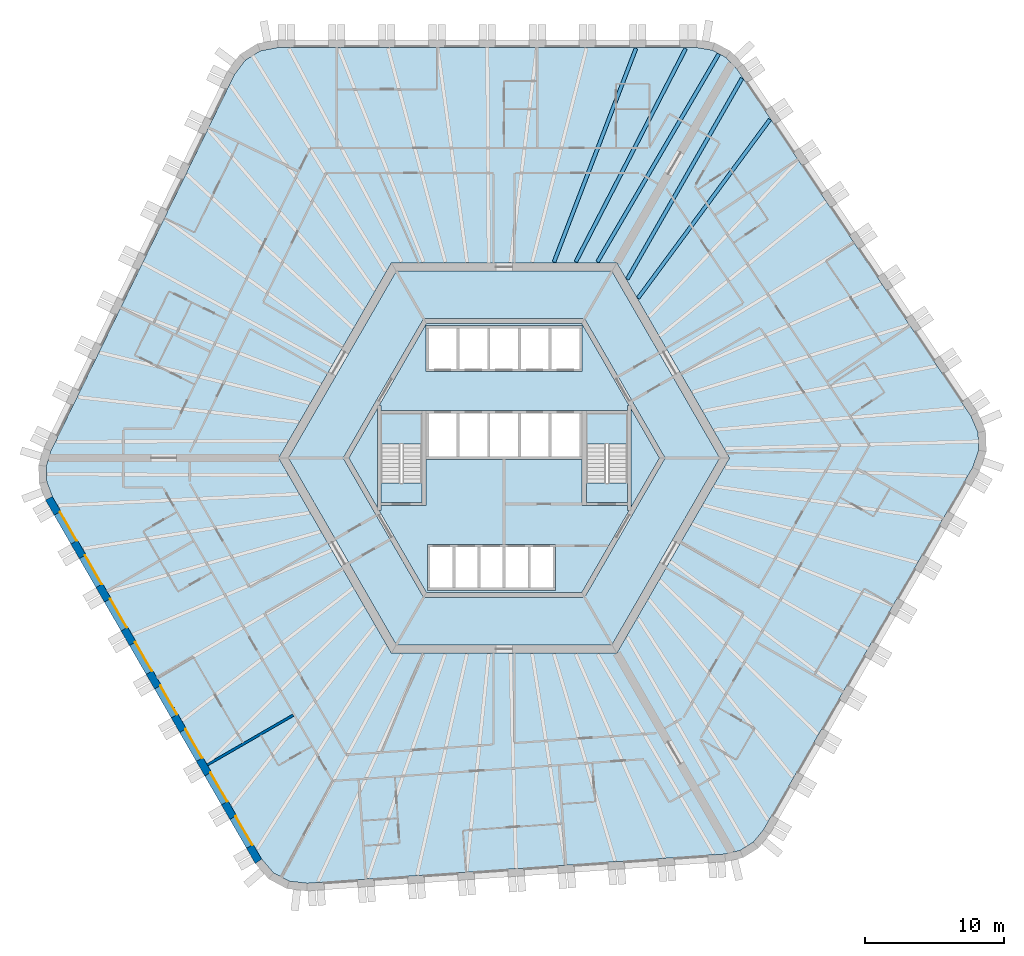
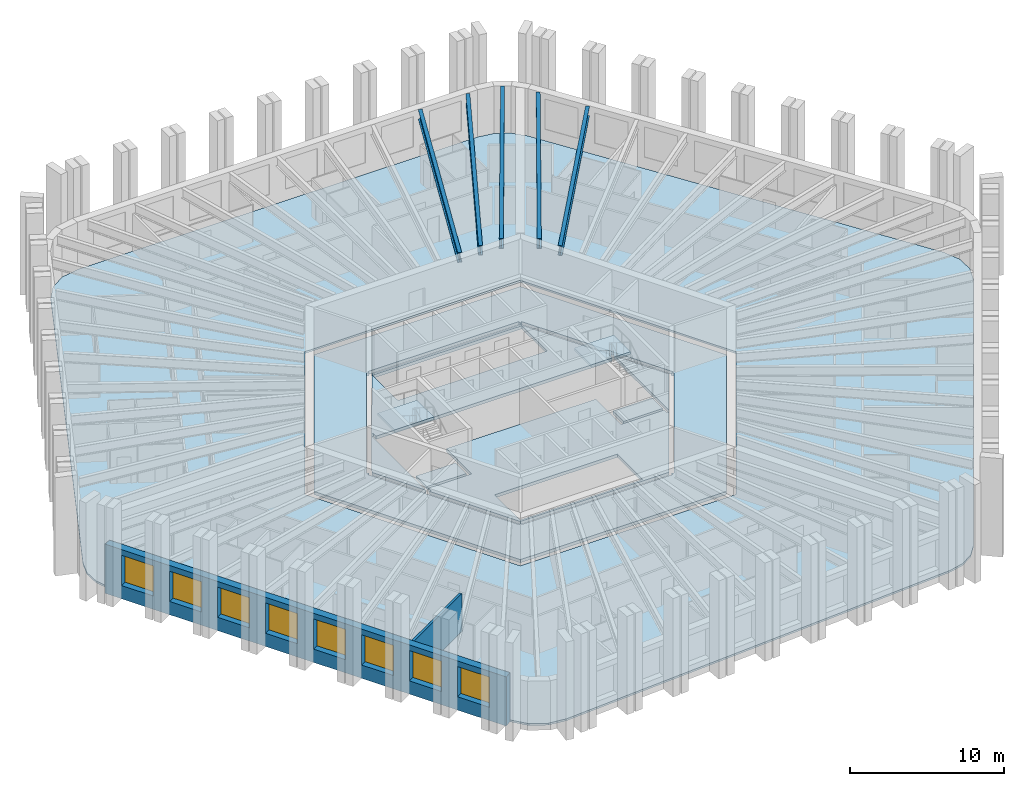
# One storey, part 2 of 13: 10 slabs, 8 windows, 5 beams, 2 walls, 8 openings, 2 elements without a shape of their own.
"""IFC4 building model written with IfcOpenShell, lengths in metres."""

import ifcopenshell
import ifcopenshell.guid

model = None  # the IFC model being written
_history = None  # IfcOwnerHistory: only IFC2X3 demands one
_inside = {}  # id of a spatial element -> (the spatial element, [elements in it])
_under = {}  # id of a project, library or spatial element -> (it, [spatial elements below it])
_declared = {}  # id of a project -> (the project, [libraries it declares])
_typed = {}  # id of a type object -> (the type object, [elements of that type])
_made_of = {}  # id of a material, layer set ... -> (it, [elements and type objects made of it])


def new_model(schema):
    """Start an empty IFC model of exactly this schema.

    Asked for "IFC4X3", IfcOpenShell would pick the latest addendum, in which some entities
    have other attributes; the version numbers below select the first issue.
    IFC2X3 requires an IfcOwnerHistory on every rooted entity: one is made here for all.
    """
    global model, _history
    if schema == "IFC4X3":
        model = ifcopenshell.file(schema_version=(4, 3, 0, 0))
    else:
        model = ifcopenshell.file(schema=schema)
    _inside.clear()
    _under.clear()
    _declared.clear()
    _typed.clear()
    _made_of.clear()
    _history = None
    if model.schema == "IFC2X3":
        org = make("IfcOrganization", Name="unknown")
        user = make(
            "IfcPersonAndOrganization",
            ThePerson=make("IfcPerson", FamilyName="unknown"),
            TheOrganization=org,
        )
        app = make(
            "IfcApplication",
            ApplicationDeveloper=org,
            Version="unknown",
            ApplicationFullName="unknown",
            ApplicationIdentifier="unknown",
        )
        _history = make(
            "IfcOwnerHistory",
            OwningUser=user,
            OwningApplication=app,
            ChangeAction="ADDED",
            CreationDate=0,
        )
    return model


def make(cls, **values):
    """One entity of the class cls with the attributes given. An attribute that is None is left unset."""
    return model.create_entity(
        cls, **{name: value for name, value in values.items() if value is not None}
    )


def rooted(cls, **values):
    """An entity with a GlobalId (a new one), such as an element, a storey or a relation."""
    return make(cls, GlobalId=ifcopenshell.guid.new(), OwnerHistory=_history, **values)


def si_unit(unit_type, name, prefix=None):
    """IfcSIUnit, for example si_unit("LENGTHUNIT", "METRE", prefix="MILLI")."""
    return make("IfcSIUnit", UnitType=unit_type, Prefix=prefix, Name=name)


def assignment(units):
    """IfcUnitAssignment: the units of a project."""
    return None if units is None else make("IfcUnitAssignment", Units=units)


def point(xyz):
    """IfcCartesianPoint."""
    return None if xyz is None else make("IfcCartesianPoint", Coordinates=xyz)


def direction(xyz):
    """IfcDirection."""
    return None if xyz is None else make("IfcDirection", DirectionRatios=xyz)


def frame(location, z_axis=None, x_axis=None):
    """IfcAxis2Placement3D, a coordinate frame: its origin and axes. An axis left out is left unset."""
    return make(
        "IfcAxis2Placement3D",
        Location=point(location),
        Axis=direction(z_axis),
        RefDirection=direction(x_axis),
    )


def frame_2d(location, x_axis=None):
    """IfcAxis2Placement2D, a coordinate frame in the plane: its origin and x axis."""
    return make(
        "IfcAxis2Placement2D", Location=point(location), RefDirection=direction(x_axis)
    )


def origin():
    """The frame at (0, 0, 0) with its axes left unset."""
    return frame((0.0, 0.0, 0.0))


def origin_2d():
    """The frame at (0, 0) in the plane with its x axis left unset."""
    return frame_2d((0.0, 0.0))


def place(relative_to, where):
    """IfcLocalPlacement: puts the frame where relative to a parent placement (None: the world)."""
    return make(
        "IfcLocalPlacement", PlacementRelTo=relative_to, RelativePlacement=where
    )


def context(
    kind, dimensions, precision=None, world=None, true_north=None, identifier=None
):
    """IfcGeometricRepresentationContext, for example the 3D "Model" context."""
    return make(
        "IfcGeometricRepresentationContext",
        ContextIdentifier=identifier,
        ContextType=kind,
        CoordinateSpaceDimension=dimensions,
        Precision=precision,
        WorldCoordinateSystem=world,
        TrueNorth=true_north,
    )


def subcontext(parent, identifier, kind, view, scale=None):
    """IfcGeometricRepresentationSubContext, for example "Body" below "Model"."""
    return make(
        "IfcGeometricRepresentationSubContext",
        ContextIdentifier=identifier,
        ContextType=kind,
        ParentContext=parent,
        TargetScale=scale,
        TargetView=view,
    )


def project(units=None, contexts=None):
    """IfcProject with its units and contexts."""
    return rooted(
        "IfcProject",
        Name="project",
        RepresentationContexts=contexts,
        UnitsInContext=assignment(units),
    )


def spatial(cls, under=None, at=None, **own):
    """A site, building, storey or space (cls), placed at a placement, below another one or the project."""
    s = rooted(cls, ObjectPlacement=at, **own)
    if under is not None:
        _under.setdefault(under.id(), (under, []))[1].append(s)
    return s


def polyline(points):
    """IfcPolyline through the points."""
    return make("IfcPolyline", Points=[point(p) for p in points])


def profile(cls, at=None, kind="AREA", **sizes):
    """A parametric profile (cls). Its sizes go by their IFC names, for example OverallWidth=200.0."""
    return make(cls, ProfileType=kind, Position=at, **sizes)


def rectangle(**sizes):
    """IfcRectangleProfileDef."""
    return profile("IfcRectangleProfileDef", **sizes)


def i_section(**sizes):
    """IfcIShapeProfileDef."""
    return profile("IfcIShapeProfileDef", **sizes)


def outline(outer, holes=None, kind="AREA"):
    """IfcArbitraryClosedProfileDef: a profile drawn as a closed curve; with holes, ...WithVoids."""
    if holes is None:
        return make("IfcArbitraryClosedProfileDef", ProfileType=kind, OuterCurve=outer)
    return make(
        "IfcArbitraryProfileDefWithVoids",
        ProfileType=kind,
        OuterCurve=outer,
        InnerCurves=holes,
    )


def extrude(swept, where, along, depth):
    """IfcExtrudedAreaSolid: the profile swept, set in the frame where, extruded along a direction by depth."""
    return make(
        "IfcExtrudedAreaSolid",
        SweptArea=swept,
        Position=where,
        ExtrudedDirection=direction(along),
        Depth=depth,
    )


def shape(context_of_items, identifier, shape_type, items):
    """IfcShapeRepresentation: the items that make up one representation, for example the "Body"."""
    return make(
        "IfcShapeRepresentation",
        ContextOfItems=context_of_items,
        RepresentationIdentifier=identifier,
        RepresentationType=shape_type,
        Items=items,
    )


def material(Name=None, Category=None):
    """IfcMaterial."""
    return make("IfcMaterial", Name=Name, Category=Category)


def layer(
    of_material, thickness, ventilated=None, Name=None, Category=None, Priority=None
):
    """IfcMaterialLayer: one layer of a wall or slab, of a material (None: an air gap)."""
    return make(
        "IfcMaterialLayer",
        Material=of_material,
        LayerThickness=thickness,
        IsVentilated=ventilated,
        Name=Name,
        Category=Category,
        Priority=Priority,
    )


def layer_set(layers, Name=None):
    """IfcMaterialLayerSet."""
    return make("IfcMaterialLayerSet", MaterialLayers=layers, LayerSetName=Name)


def material_profile(
    of_material, cross_section, Name=None, Category=None, Priority=None
):
    """IfcMaterialProfile: a cross section and its material."""
    return make(
        "IfcMaterialProfile",
        Name=Name,
        Material=of_material,
        Profile=cross_section,
        Priority=Priority,
        Category=Category,
    )


def profile_set(profiles, Name=None, composite=None):
    """IfcMaterialProfileSet."""
    return make(
        "IfcMaterialProfileSet",
        Name=Name,
        MaterialProfiles=profiles,
        CompositeProfile=composite,
    )


def made_of(thing, what):
    """Note that an element or type object is made of a material, layer set ...; save() writes the relation."""
    if what is not None:
        _made_of.setdefault(what.id(), (what, []))[1].append(thing)
    return thing


def type_object(cls, material=None, **own):
    """A type object (cls), such as IfcWallType, which elements share."""
    return made_of(rooted(cls, **own), material)


def element(
    cls,
    number,
    at=None,
    inside=None,
    cuts=None,
    type_object=None,
    material=None,
    context=None,
    identifier="Body",
    shape_type=None,
    held_by="IfcProductDefinitionShape",
    body=None,
    shapes=None,
    **own,
):
    """One element of the class cls, such as IfcWall. Its Tag is "e" and its number.

    at: its placement. inside: the storey or other place that contains it. cuts: it is an
    opening in that element (IfcRelVoidsElement). A single representation is given by context,
    identifier, shape_type and body (its items); several are given by shapes. held_by: the class
    of the entity that holds the representations. save() writes the other relations.
    """
    e = rooted(cls, Tag="e%d" % number, ObjectPlacement=at, **own)
    if body is not None:
        shapes = [shape(context, identifier, shape_type, body)]
    if shapes is not None:
        e.Representation = make(held_by, Representations=shapes)
    if inside is not None:
        _inside.setdefault(inside.id(), (inside, []))[1].append(e)
    if cuts is not None:
        rooted(
            "IfcRelVoidsElement", RelatingBuildingElement=cuts, RelatedOpeningElement=e
        )
    if type_object is not None:
        _typed.setdefault(type_object.id(), (type_object, []))[1].append(e)
    return made_of(e, material)


def fill(opening, filler):
    """IfcRelFillsElement: the door or window that sits in an opening."""
    return rooted(
        "IfcRelFillsElement",
        RelatingOpeningElement=opening,
        RelatedBuildingElement=filler,
    )


def aggregate(whole, parts):
    """IfcRelAggregates: a whole, such as a stair, and the parts it consists of."""
    return rooted("IfcRelAggregates", RelatingObject=whole, RelatedObjects=parts)


def save(model, path):
    """Write the relations noted so far, then the file.

    IfcRelAggregates (storeys below a building ...), IfcRelContainedInSpatialStructure (elements
    in a storey), IfcRelDefinesByType, IfcRelAssociatesMaterial and IfcRelDeclares: one each for
    every whole, place, type object, material and project.
    """
    for whole, parts in _under.values():
        aggregate(whole, parts)
    for where, things in _inside.values():
        rooted(
            "IfcRelContainedInSpatialStructure",
            RelatedElements=things,
            RelatingStructure=where,
        )
    for kind, things in _typed.values():
        rooted("IfcRelDefinesByType", RelatedObjects=things, RelatingType=kind)
    for what, things in _made_of.values():
        rooted("IfcRelAssociatesMaterial", RelatedObjects=things, RelatingMaterial=what)
    for by, libraries in _declared.values():
        rooted("IfcRelDeclares", RelatingContext=by, RelatedDefinitions=libraries)
    model.write(path)


model = new_model("IFC4")

# Units and contexts
model_context = context("Model", 3, precision=1e-05, world=origin(), true_north=direction((0.0, 1.0)))
body_context = subcontext(model_context, "Body", "Model", "MODEL_VIEW")
ifc_project = project(units=[si_unit("LENGTHUNIT", "METRE"), si_unit("AREAUNIT", "SQUARE_METRE"), si_unit("VOLUMEUNIT", "CUBIC_METRE"), si_unit("PLANEANGLEUNIT", "RADIAN"), si_unit("MASSUNIT", "GRAM", prefix="KILO")], contexts=[model_context])

# Site, building, storey
site_placement = place(None, origin())
site = spatial("IfcSite", under=ifc_project, at=site_placement, CompositionType="ELEMENT")
building_placement = place(site_placement, origin())
building = spatial("IfcBuilding", under=site, at=building_placement, Name="Tarnside Tower", CompositionType="ELEMENT")
storey_placement = place(building_placement, frame((0.0, 0.0, 92.10009765625)))
storey = spatial("IfcBuildingStorey", under=building, at=storey_placement, Name="L20", CompositionType="ELEMENT", Elevation=92.10009765625)

# Beams
ifc_material_1 = material(Name="Steel S355", Category="steel")
ifc_material_profile = material_profile(ifc_material_1, i_section(OverallWidth=0.2666015625, OverallDepth=0.76220703125, WebThickness=0.014404296875, FlangeThickness=0.021484375, FilletRadius=0.0166015625, at=origin_2d()), Name="UB 762x267x173")
ifc_profile_set = profile_set([ifc_material_profile], Name="Steel S355")
beam_type = type_object("IfcBeamType", Name="Floor beam UB 762x267x173", PredefinedType="BEAM", material=ifc_profile_set)
beam_1_placement = place(storey_placement, frame((13.0283203125, 29.37890625, 3.368896484375), z_axis=(-0.457973226459, -0.888965985765, 0.0), x_axis=(0.888965985765, -0.457973226459, 0.0)))
element("IfcBeam", 1, at=beam_1_placement, inside=storey, type_object=beam_type, Name="Floor beam F1.01", PredefinedType="BEAM", context=body_context, shape_type="SweptSolid", body=[
    extrude(i_section(OverallWidth=0.2666015625, OverallDepth=0.76220703125, WebThickness=0.014404296875, FlangeThickness=0.021484375, FilletRadius=0.0166015625, at=origin_2d()), origin(), (0.0, 0.0, 1.0), 17.219970703125),
])
beam_2_placement = place(storey_placement, frame((9.4619140625, 29.39404296875, 3.368896484375), z_axis=(-0.358299847269, -0.933606565662, 0.0), x_axis=(0.933606565662, -0.358299847269, 0.0)))
element("IfcBeam", 2, at=beam_2_placement, inside=storey, type_object=beam_type, Name="Floor beam F1.02", PredefinedType="BEAM", context=body_context, shape_type="SweptSolid", body=[
    extrude(i_section(OverallWidth=0.2666015625, OverallDepth=0.76220703125, WebThickness=0.014404296875, FlangeThickness=0.021484375, FilletRadius=0.0166015625, at=origin_2d()), origin(), (0.0, 0.0, 1.0), 16.428955078125),
])
beam_3_placement = place(storey_placement, frame((19.072021484375, 24.28857421875, 3.368896484375), z_axis=(-0.593986893499, -0.804474717037, 0.0), x_axis=(0.804474717037, -0.593986893499, 0.0)))
element("IfcBeam", 3, at=beam_3_placement, inside=storey, type_object=beam_type, Name="Floor beam F6.08", PredefinedType="BEAM", context=body_context, shape_type="SweptSolid", body=[
    extrude(i_section(OverallWidth=0.2666015625, OverallDepth=0.76220703125, WebThickness=0.014404296875, FlangeThickness=0.021484375, FilletRadius=0.0166015625, at=origin_2d()), origin(), (0.0, 0.0, 1.0), 15.934326171875),
])
beam_4_placement = place(storey_placement, frame((17.066162109375, 27.235107421875, 3.368896484375), z_axis=(-0.49622611841, -0.868193319145, 0.0), x_axis=(0.868193319145, -0.49622611841, 0.0)))
element("IfcBeam", 4, at=beam_4_placement, inside=storey, type_object=beam_type, Name="Floor beam F6.09", PredefinedType="BEAM", context=body_context, shape_type="SweptSolid", body=[
    extrude(i_section(OverallWidth=0.2666015625, OverallDepth=0.76220703125, WebThickness=0.014404296875, FlangeThickness=0.021484375, FilletRadius=0.0166015625, at=origin_2d()), origin(), (0.0, 0.0, 1.0), 16.586669921875),
])
beam_5_placement = place(storey_placement, frame((15.4013671875, 28.990478515625, 3.368896484375), z_axis=(-0.503858723096, -0.863786077198, 0.0), x_axis=(0.863786077198, -0.503858723096, 0.0)))
element("IfcBeam", 5, at=beam_5_placement, inside=storey, type_object=beam_type, Name="Floor beam C6", PredefinedType="BEAM", context=body_context, shape_type="SweptSolid", body=[
    extrude(i_section(OverallWidth=0.2666015625, OverallDepth=0.76220703125, WebThickness=0.014404296875, FlangeThickness=0.021484375, FilletRadius=0.0166015625, at=origin_2d()), origin(), (0.0, 0.0, 1.0), 17.2744140625),
])

# Slabs
ifc_material_2 = material(Name="Concrete C35/45", Category="concrete")
ifc_layer_1 = layer(ifc_material_2, 0.14990234375)
ifc_layer_set_1 = layer_set([ifc_layer_1], Name="Composite floor slab 150")
slab_type_1 = type_object("IfcSlabType", Name="Composite floor slab 150", PredefinedType="FLOOR", material=ifc_layer_set_1)
slab_1_placement = place(storey_placement, frame((0.0, 0.0, -0.150146484375)))
element("IfcSlab", 6, at=slab_1_placement, inside=storey, type_object=slab_type_1, Name="Floor slab L20", PredefinedType="FLOOR", context=body_context, shape_type="SweptSolid", body=[
    extrude(outline(polyline([(14.927490234375, 29.264892578125), (15.91455078125, 28.740234375), (16.697265625, 27.91064453125), (33.48583984375, 3.0205078125), (34.001220703125, 1.825439453125), (34.0458984375, 0.55078125), (33.614990234375, -0.67724609375), (18.603515625, -26.677978515625), (17.880615234375, -27.56005859375), (16.9326171875, -28.15234375), (15.82275390625, -28.41552734375), (-14.127197265625, -30.509765625), (-15.419921875, -30.358642578125), (-16.5458984375, -29.760009765625), (-17.39404296875, -28.772705078125), (-32.405517578125, -2.772216796875), (-32.80810546875, -1.704833984375), (-32.846923828125, -0.587890625), (-32.52001953125, 0.5048828125), (-19.358642578125, 27.4892578125), (-18.58154296875, 28.533203125), (-17.5, 29.208984375), (-16.220947265625, 29.449951171875), (13.802001953125, 29.449951171875), (14.927490234375, 29.264892578125)]), holes=[polyline([(-16.165771484375, 0.0), (-8.0830078125, -14.0), (8.0830078125, -14.0), (16.165771484375, 0.0), (8.0830078125, 14.0), (-8.0830078125, 14.0), (-16.165771484375, 0.0)])]), origin(), (0.0, 0.0, 1.0), 0.150146484375),
])
ifc_material_3 = material(Name="Concrete C40/50", Category="concrete")
ifc_layer_2 = layer(ifc_material_3, 0.25)
ifc_layer_set_2 = layer_set([ifc_layer_2], Name="Core slab C40/50")
slab_type_2 = type_object("IfcSlabType", Name="Core slab C40/50", PredefinedType="FLOOR", material=ifc_layer_set_2)
slab_2_placement = place(storey_placement, frame((0.0, 0.0, -0.25)))
element("IfcSlab", 7, at=slab_2_placement, inside=storey, type_object=slab_type_2, Name="L20 core floor slab 1", PredefinedType="FLOOR", context=body_context, shape_type="SweptSolid", body=[
    extrude(outline(polyline([(-15.472900390625, 0.0), (-7.736572265625, 13.39990234375), (7.736572265625, 13.39990234375), (15.472900390625, 0.0), (7.736572265625, -13.39990234375), (-7.736572265625, -13.39990234375), (-15.472900390625, 0.0)]), holes=[polyline([(5.823974609375, -9.91259765625), (11.49658203125, -0.08740234375), (11.344970703125, 0.0), (11.49658203125, 0.08740234375), (5.823974609375, 9.91259765625), (5.672607421875, 9.824951171875), (5.672607421875, 10.0), (-5.672607421875, 10.0), (-5.672607421875, 9.824951171875), (-5.823974609375, 9.91259765625), (-11.49658203125, 0.08740234375), (-11.344970703125, 0.0), (-11.49658203125, -0.08740234375), (-5.823974609375, -9.91259765625), (-5.672607421875, -9.824951171875), (-5.672607421875, -10.0), (5.672607421875, -10.0), (5.672607421875, -9.824951171875), (5.823974609375, -9.91259765625)])]), origin(), (0.0, 0.0, 1.0), 0.25),
])
slab_3_placement = place(storey_placement, frame((0.0, 0.0, -0.25)))
element("IfcSlab", 8, at=slab_3_placement, inside=storey, type_object=slab_type_2, Name="L20 core floor slab 2", PredefinedType="FLOOR", context=body_context, shape_type="SweptSolid", body=[
    extrude(outline(polyline([(-8.97509765625, 3.7548828125), (-5.5712890625, 9.64990234375), (5.5712890625, 9.64990234375), (8.97509765625, 3.7548828125), (8.85009765625, 3.7548828125), (8.85009765625, 3.39990234375), (5.89990234375, 3.39990234375), (5.60009765625, 3.39990234375), (5.60009765625, 3.39990234375), (-5.60009765625, 3.39990234375), (-5.89990234375, 3.39990234375), (-8.85009765625, 3.39990234375), (-8.85009765625, 3.7548828125), (-8.97509765625, 3.7548828125)]), holes=[polyline([(-5.60009765625, 6.199951171875), (5.60009765625, 6.199951171875), (5.60009765625, 6.39990234375), (5.60009765625, 9.300048828125), (5.60009765625, 9.5), (-5.60009765625, 9.5), (-5.60009765625, 9.300048828125), (-5.60009765625, 6.39990234375), (-5.60009765625, 6.199951171875)])]), origin(), (0.0, 0.0, 1.0), 0.25),
])
slab_4_placement = place(storey_placement, frame((0.0, 0.0, -0.25)))
element("IfcSlab", 9, at=slab_4_placement, inside=storey, type_object=slab_type_2, Name="L20 core floor slab 3", PredefinedType="FLOOR", context=body_context, shape_type="SweptSolid", body=[
    extrude(outline(polyline([(5.60009765625, -3.39990234375), (5.89990234375, -3.39990234375), (8.85009765625, -3.39990234375), (8.85009765625, -3.7548828125), (8.97509765625, -3.7548828125), (5.5712890625, -9.64990234375), (-5.5712890625, -9.64990234375), (-8.97509765625, -3.7548828125), (-8.85009765625, -3.7548828125), (-8.85009765625, -3.39990234375), (-5.89990234375, -3.39990234375), (-5.60009765625, -3.39990234375), (-5.60009765625, -0.10009765625), (5.60009765625, -0.10009765625), (5.60009765625, -3.39990234375)]), holes=[polyline([(-5.5, -9.300048828125), (-5.5, -9.5), (3.699951171875, -9.5), (3.699951171875, -9.300048828125), (3.699951171875, -6.39990234375), (3.699951171875, -6.199951171875), (-5.5, -6.199951171875), (-5.5, -6.39990234375), (-5.5, -9.300048828125)])]), origin(), (0.0, 0.0, 1.0), 0.25),
])
slab_5_placement = place(storey_placement, frame((0.0, 0.0, -0.25)))
element("IfcSlab", 10, at=slab_5_placement, inside=storey, type_object=slab_type_2, Name="L20 core floor slab 4", PredefinedType="FLOOR", context=body_context, shape_type="SweptSolid", body=[
    extrude(outline(polyline([(-11.142822265625, 0.0), (-9.10009765625, 3.538330078125), (-9.10009765625, -3.538330078125), (-11.142822265625, 0.0)])), origin(), (0.0, 0.0, 1.0), 0.25),
])
slab_6_placement = place(storey_placement, frame((0.0, 0.0, -0.25)))
element("IfcSlab", 11, at=slab_6_placement, inside=storey, type_object=slab_type_2, Name="L20 core floor slab 5", PredefinedType="FLOOR", context=body_context, shape_type="SweptSolid", body=[
    extrude(outline(polyline([(-8.85009765625, -1.800048828125), (-5.89990234375, -1.800048828125), (-5.89990234375, -3.199951171875), (-8.85009765625, -3.199951171875), (-8.85009765625, -1.800048828125)])), origin(), (0.0, 0.0, 1.0), 0.25),
])
slab_7_placement = place(storey_placement, frame((0.0, 0.0, -0.25)))
element("IfcSlab", 12, at=slab_7_placement, inside=storey, type_object=slab_type_2, Name="L20 core floor slab 6", PredefinedType="FLOOR", context=body_context, shape_type="SweptSolid", body=[
    extrude(outline(polyline([(5.89990234375, -3.199951171875), (5.89990234375, -1.800048828125), (8.85009765625, -1.800048828125), (8.85009765625, -3.199951171875), (5.89990234375, -3.199951171875)])), origin(), (0.0, 0.0, 1.0), 0.25),
])
slab_8_placement = place(storey_placement, frame((0.0, 0.0, -0.25)))
element("IfcSlab", 13, at=slab_8_placement, inside=storey, type_object=slab_type_2, Name="L20 core floor slab 7", PredefinedType="FLOOR", context=body_context, shape_type="SweptSolid", body=[
    extrude(outline(polyline([(9.10009765625, -3.538330078125), (9.10009765625, 3.538330078125), (11.142822265625, 0.0), (9.10009765625, -3.538330078125)])), origin(), (0.0, 0.0, 1.0), 0.25),
])

# Stair, slab
stair_type = type_object("IfcStairType", Name="Exit stair 1400 clear", PredefinedType="HALF_TURN_STAIR", material=ifc_material_3)
stair_1_placement = place(storey_placement, origin())
stair_1 = element("IfcStair", 14, at=stair_1_placement, inside=storey, type_object=stair_type, Name="L20 Exit stair 1", PredefinedType="HALF_TURN_STAIR")
ifc_layer_3 = layer(ifc_material_3, 0.199951171875)
ifc_layer_set_3 = layer_set([ifc_layer_3], Name="Stair landing 200 C40/50")
slab_type_3 = type_object("IfcSlabType", Name="Stair landing 200 C40/50", PredefinedType="LANDING", material=ifc_layer_set_3)
slab_9_placement = place(storey_placement, frame((0.0, 0.0, 1.75)))
slab_9 = element("IfcSlab", 15, at=slab_9_placement, type_object=slab_type_3, Name="ST1 landing 1", PredefinedType="LANDING", context=body_context, shape_type="SweptSolid", body=[
    extrude(outline(polyline([(8.85009765625, 1.0), (8.85009765625, 3.199951171875), (5.89990234375, 3.199951171875), (5.89990234375, 1.0), (8.85009765625, 1.0)])), origin(), (0.0, 0.0, 1.0), 0.199951171875),
])
aggregate(stair_1, [slab_9])

stair_2_placement = place(storey_placement, origin())
stair_2 = element("IfcStair", 16, at=stair_2_placement, inside=storey, type_object=stair_type, Name="L20 Exit stair 2", PredefinedType="HALF_TURN_STAIR")
slab_10_placement = place(storey_placement, frame((0.0, 0.0, 1.75)))
slab_10 = element("IfcSlab", 17, at=slab_10_placement, type_object=slab_type_3, Name="ST2 landing 1", PredefinedType="LANDING", context=body_context, shape_type="SweptSolid", body=[
    extrude(outline(polyline([(-5.89990234375, 1.0), (-5.89990234375, 3.199951171875), (-8.85009765625, 3.199951171875), (-8.85009765625, 1.0), (-5.89990234375, 1.0)])), origin(), (0.0, 0.0, 1.0), 0.199951171875),
])
aggregate(stair_2, [slab_10])

# Wall
ifc_material_4 = material(Name="Gypsum board partition on steel studs", Category="steel")
ifc_layer_4 = layer(ifc_material_4, 0.179931640625)
ifc_layer_set_4 = layer_set([ifc_layer_4], Name="Demising wall 180 EI 60")
wall_type_1 = type_object("IfcWallType", Name="Demising wall 180 EI 60", PredefinedType="PARTITIONING", material=ifc_layer_set_4)
wall_1_placement = place(storey_placement, frame((-21.298828125, -22.00927734375, 0.0), z_axis=(0.0, 0.0, 1.0), x_axis=(0.866024672353, 0.500001266874, 0.0)))
element("IfcWall", 18, at=wall_1_placement, inside=storey, type_object=wall_type_1, Name="Demising wall 06118", PredefinedType="PARTITIONING", context=body_context, shape_type="SweptSolid", body=[
    extrude(rectangle(XDim=7.125, YDim=0.179931640625, at=frame_2d((3.5625, 0.0))), origin(), (0.0, 0.0, 1.0), 2.98779296875),
])

# Wall, openings, windows
ifc_material_5 = material(Name="Facing brick", Category="masonry")
ifc_layer_5 = layer(ifc_material_5, 0.10205078125)
ifc_material_6 = material(Name="Concrete C60/75 precast", Category="concrete")
ifc_layer_6 = layer(ifc_material_6, 0.347900390625)
ifc_material_7 = material(Name="Mineral wool insulation")
ifc_layer_7 = layer(ifc_material_7, 0.10009765625)
ifc_layer_set_5 = layer_set([ifc_layer_5, ifc_layer_6, ifc_layer_7], Name="Tube wall 550 brick faced")
wall_type_2 = type_object("IfcWallType", Name="Tube wall 550 brick faced", PredefinedType="SOLIDWALL", material=ifc_layer_set_5)
wall_2_placement = place(storey_placement, frame((-32.65478515625, -2.89013671875, -0.150146484375), z_axis=(0.0, 0.0, 1.0), x_axis=(0.499997711317, -0.866026725152, 0.0)))
wall_2 = element("IfcWall", 19, at=wall_2_placement, inside=storey, type_object=wall_type_2, Name="Tube wall L20 F3 flush 08", PredefinedType="SOLIDWALL", context=body_context, shape_type="SweptSolid", body=[
    extrude(outline(polyline([(-0.0224609375, -0.27490234375), (30.0966796875, -0.27490234375), (30.04541015625, 0.27490234375), (0.0224609375, 0.27490234375), (-0.0224609375, -0.27490234375)])), origin(), (0.0, 0.0, 1.0), 3.900146484375),
])
opening_1_placement = place(wall_2_placement, frame((1.235595703125, 0.0, 1.050048828125)))
opening_1 = element("IfcOpeningElement", 20, at=opening_1_placement, cuts=wall_2, Name="Opening WH", PredefinedType="OPENING", context=body_context, shape_type="SweptSolid", body=[
    extrude(rectangle(XDim=2.39990234375, YDim=2.39990234375, at=frame_2d((1.199951171875, 1.199951171875))), frame((0.0, 0.28515625, 0.0), z_axis=(0.0, -1.0, 0.0), x_axis=(1.0, 0.0, 0.0)), (0.0, 0.0, 1.0), 0.570068359375),
])
opening_2_placement = place(wall_2_placement, frame((4.83544921875, 0.0, 1.050048828125)))
opening_2 = element("IfcOpeningElement", 21, at=opening_2_placement, cuts=wall_2, Name="Opening WH", PredefinedType="OPENING", context=body_context, shape_type="SweptSolid", body=[
    extrude(rectangle(XDim=2.39990234375, YDim=2.39990234375, at=frame_2d((1.199951171875, 1.199951171875))), frame((0.0, 0.28515625, 0.0), z_axis=(0.0, -1.0, 0.0), x_axis=(1.0, 0.0, 0.0)), (0.0, 0.0, 1.0), 0.570068359375),
])
opening_3_placement = place(wall_2_placement, frame((8.435546875, 0.0, 1.050048828125)))
opening_3 = element("IfcOpeningElement", 22, at=opening_3_placement, cuts=wall_2, Name="Opening WH", PredefinedType="OPENING", context=body_context, shape_type="SweptSolid", body=[
    extrude(rectangle(XDim=2.39990234375, YDim=2.39990234375, at=frame_2d((1.199951171875, 1.199951171875))), frame((0.0, 0.28515625, 0.0), z_axis=(0.0, -1.0, 0.0), x_axis=(1.0, 0.0, 0.0)), (0.0, 0.0, 1.0), 0.570068359375),
])
opening_4_placement = place(wall_2_placement, frame((12.035400390625, 0.0, 1.050048828125)))
opening_4 = element("IfcOpeningElement", 23, at=opening_4_placement, cuts=wall_2, Name="Opening WH", PredefinedType="OPENING", context=body_context, shape_type="SweptSolid", body=[
    extrude(rectangle(XDim=2.39990234375, YDim=2.39990234375, at=frame_2d((1.199951171875, 1.199951171875))), frame((0.0, 0.28515625, 0.0), z_axis=(0.0, -1.0, 0.0), x_axis=(1.0, 0.0, 0.0)), (0.0, 0.0, 1.0), 0.570068359375),
])
opening_5_placement = place(wall_2_placement, frame((15.635498046875, 0.0, 1.050048828125)))
opening_5 = element("IfcOpeningElement", 24, at=opening_5_placement, cuts=wall_2, Name="Opening WH", PredefinedType="OPENING", context=body_context, shape_type="SweptSolid", body=[
    extrude(rectangle(XDim=2.39990234375, YDim=2.39990234375, at=frame_2d((1.199951171875, 1.199951171875))), frame((0.0, 0.28515625, 0.0), z_axis=(0.0, -1.0, 0.0), x_axis=(1.0, 0.0, 0.0)), (0.0, 0.0, 1.0), 0.570068359375),
])
opening_6_placement = place(wall_2_placement, frame((19.235595703125, 0.0, 1.050048828125)))
opening_6 = element("IfcOpeningElement", 25, at=opening_6_placement, cuts=wall_2, Name="Opening WH", PredefinedType="OPENING", context=body_context, shape_type="SweptSolid", body=[
    extrude(rectangle(XDim=2.39990234375, YDim=2.39990234375, at=frame_2d((1.199951171875, 1.199951171875))), frame((0.0, 0.28515625, 0.0), z_axis=(0.0, -1.0, 0.0), x_axis=(1.0, 0.0, 0.0)), (0.0, 0.0, 1.0), 0.570068359375),
])
opening_7_placement = place(wall_2_placement, frame((22.83544921875, 0.0, 1.050048828125)))
opening_7 = element("IfcOpeningElement", 26, at=opening_7_placement, cuts=wall_2, Name="Opening WH", PredefinedType="OPENING", context=body_context, shape_type="SweptSolid", body=[
    extrude(rectangle(XDim=2.39990234375, YDim=2.39990234375, at=frame_2d((1.199951171875, 1.199951171875))), frame((0.0, 0.28515625, 0.0), z_axis=(0.0, -1.0, 0.0), x_axis=(1.0, 0.0, 0.0)), (0.0, 0.0, 1.0), 0.570068359375),
])
opening_8_placement = place(wall_2_placement, frame((26.435546875, 0.0, 1.050048828125)))
opening_8 = element("IfcOpeningElement", 27, at=opening_8_placement, cuts=wall_2, Name="Opening WH", PredefinedType="OPENING", context=body_context, shape_type="SweptSolid", body=[
    extrude(rectangle(XDim=2.39990234375, YDim=2.39990234375, at=frame_2d((1.199951171875, 1.199951171875))), frame((0.0, 0.28515625, 0.0), z_axis=(0.0, -1.0, 0.0), x_axis=(1.0, 0.0, 0.0)), (0.0, 0.0, 1.0), 0.570068359375),
])
ifc_material_8 = material(Name="Aluminium-framed double glazing", Category="aluminium")
window_type = type_object("IfcWindowType", Name="Hotel window 2400 x 2400", PartitioningType="DOUBLE_PANEL_VERTICAL", PredefinedType="WINDOW", material=ifc_material_8)
window_1_placement = place(opening_1_placement, frame((0.0, 0.205078125, 0.0)))
window_1 = element("IfcWindow", 28, at=window_1_placement, inside=storey, type_object=window_type, Name="E.WN.L20.F3.00", OverallHeight=2.39990234375, OverallWidth=2.39990234375, PartitioningType="DOUBLE_PANEL_VERTICAL", PredefinedType="WINDOW", context=body_context, shape_type="SweptSolid", body=[
    extrude(rectangle(XDim=2.39990234375, YDim=2.39990234375, at=frame_2d((1.199951171875, 1.199951171875))), frame((0.0, 0.030029296875, 0.0), z_axis=(0.0, -1.0, 0.0), x_axis=(1.0, 0.0, 0.0)), (0.0, 0.0, 1.0), 0.06005859375),
])
fill(opening_1, window_1)
window_2_placement = place(opening_2_placement, frame((0.0, 0.205078125, 0.0)))
window_2 = element("IfcWindow", 29, at=window_2_placement, inside=storey, type_object=window_type, Name="E.WN.L20.F3.01", OverallHeight=2.39990234375, OverallWidth=2.39990234375, PartitioningType="DOUBLE_PANEL_VERTICAL", PredefinedType="WINDOW", context=body_context, shape_type="SweptSolid", body=[
    extrude(rectangle(XDim=2.39990234375, YDim=2.39990234375, at=frame_2d((1.199951171875, 1.199951171875))), frame((0.0, 0.030029296875, 0.0), z_axis=(0.0, -1.0, 0.0), x_axis=(1.0, 0.0, 0.0)), (0.0, 0.0, 1.0), 0.06005859375),
])
fill(opening_2, window_2)
window_3_placement = place(opening_3_placement, frame((0.0, 0.205078125, 0.0)))
window_3 = element("IfcWindow", 30, at=window_3_placement, inside=storey, type_object=window_type, Name="E.WN.L20.F3.02", OverallHeight=2.39990234375, OverallWidth=2.39990234375, PartitioningType="DOUBLE_PANEL_VERTICAL", PredefinedType="WINDOW", context=body_context, shape_type="SweptSolid", body=[
    extrude(rectangle(XDim=2.39990234375, YDim=2.39990234375, at=frame_2d((1.199951171875, 1.199951171875))), frame((0.0, 0.030029296875, 0.0), z_axis=(0.0, -1.0, 0.0), x_axis=(1.0, 0.0, 0.0)), (0.0, 0.0, 1.0), 0.06005859375),
])
fill(opening_3, window_3)
window_4_placement = place(opening_4_placement, frame((0.0, 0.205078125, 0.0)))
window_4 = element("IfcWindow", 31, at=window_4_placement, inside=storey, type_object=window_type, Name="E.WN.L20.F3.03", OverallHeight=2.39990234375, OverallWidth=2.39990234375, PartitioningType="DOUBLE_PANEL_VERTICAL", PredefinedType="WINDOW", context=body_context, shape_type="SweptSolid", body=[
    extrude(rectangle(XDim=2.39990234375, YDim=2.39990234375, at=frame_2d((1.199951171875, 1.199951171875))), frame((0.0, 0.030029296875, 0.0), z_axis=(0.0, -1.0, 0.0), x_axis=(1.0, 0.0, 0.0)), (0.0, 0.0, 1.0), 0.06005859375),
])
fill(opening_4, window_4)
window_5_placement = place(opening_5_placement, frame((0.0, 0.205078125, 0.0)))
window_5 = element("IfcWindow", 32, at=window_5_placement, inside=storey, type_object=window_type, Name="E.WN.L20.F3.04", OverallHeight=2.39990234375, OverallWidth=2.39990234375, PartitioningType="DOUBLE_PANEL_VERTICAL", PredefinedType="WINDOW", context=body_context, shape_type="SweptSolid", body=[
    extrude(rectangle(XDim=2.39990234375, YDim=2.39990234375, at=frame_2d((1.199951171875, 1.199951171875))), frame((0.0, 0.030029296875, 0.0), z_axis=(0.0, -1.0, 0.0), x_axis=(1.0, 0.0, 0.0)), (0.0, 0.0, 1.0), 0.06005859375),
])
fill(opening_5, window_5)
window_6_placement = place(opening_6_placement, frame((0.0, 0.205078125, 0.0)))
window_6 = element("IfcWindow", 33, at=window_6_placement, inside=storey, type_object=window_type, Name="E.WN.L20.F3.05", OverallHeight=2.39990234375, OverallWidth=2.39990234375, PartitioningType="DOUBLE_PANEL_VERTICAL", PredefinedType="WINDOW", context=body_context, shape_type="SweptSolid", body=[
    extrude(rectangle(XDim=2.39990234375, YDim=2.39990234375, at=frame_2d((1.199951171875, 1.199951171875))), frame((0.0, 0.030029296875, 0.0), z_axis=(0.0, -1.0, 0.0), x_axis=(1.0, 0.0, 0.0)), (0.0, 0.0, 1.0), 0.06005859375),
])
fill(opening_6, window_6)
window_7_placement = place(opening_7_placement, frame((0.0, 0.205078125, 0.0)))
window_7 = element("IfcWindow", 34, at=window_7_placement, inside=storey, type_object=window_type, Name="E.WN.L20.F3.06", OverallHeight=2.39990234375, OverallWidth=2.39990234375, PartitioningType="DOUBLE_PANEL_VERTICAL", PredefinedType="WINDOW", context=body_context, shape_type="SweptSolid", body=[
    extrude(rectangle(XDim=2.39990234375, YDim=2.39990234375, at=frame_2d((1.199951171875, 1.199951171875))), frame((0.0, 0.030029296875, 0.0), z_axis=(0.0, -1.0, 0.0), x_axis=(1.0, 0.0, 0.0)), (0.0, 0.0, 1.0), 0.06005859375),
])
fill(opening_7, window_7)
window_8_placement = place(opening_8_placement, frame((0.0, 0.205078125, 0.0)))
window_8 = element("IfcWindow", 35, at=window_8_placement, inside=storey, type_object=window_type, Name="E.WN.L20.F3.07", OverallHeight=2.39990234375, OverallWidth=2.39990234375, PartitioningType="DOUBLE_PANEL_VERTICAL", PredefinedType="WINDOW", context=body_context, shape_type="SweptSolid", body=[
    extrude(rectangle(XDim=2.39990234375, YDim=2.39990234375, at=frame_2d((1.199951171875, 1.199951171875))), frame((0.0, 0.030029296875, 0.0), z_axis=(0.0, -1.0, 0.0), x_axis=(1.0, 0.0, 0.0)), (0.0, 0.0, 1.0), 0.06005859375),
])
fill(opening_8, window_8)

save(model, "model.ifc")
